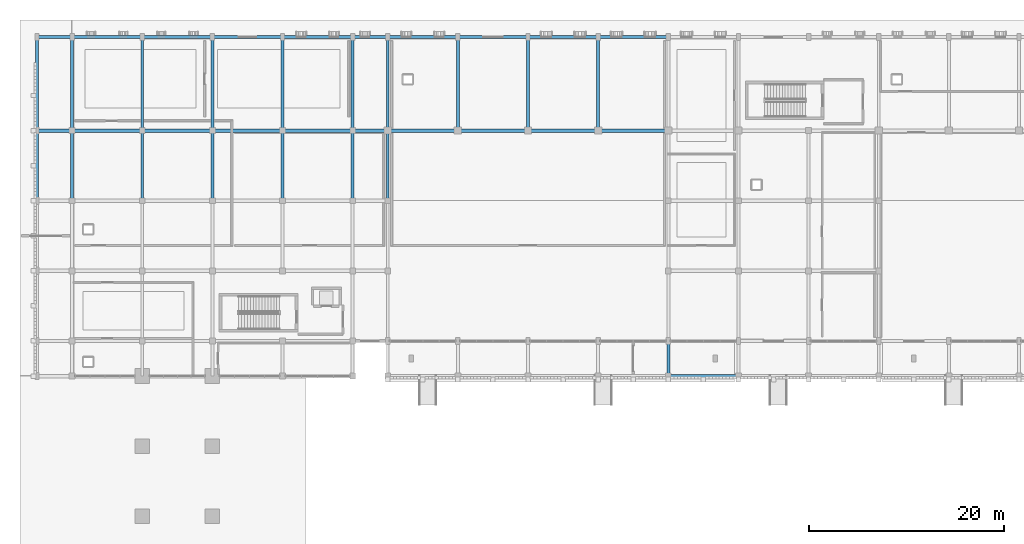
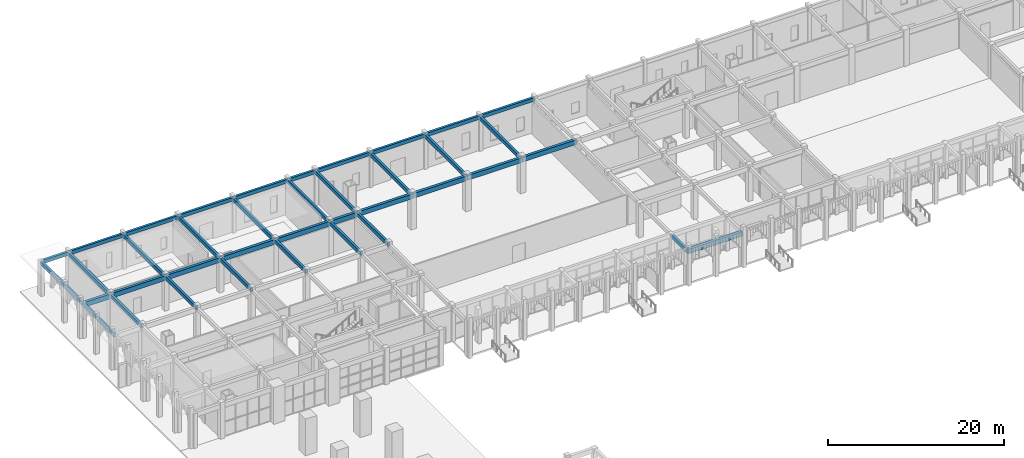
# One storey, part 14 of 72: 39 beams.
"""IFC4 building model written with IfcOpenShell, lengths in metres."""

from ifc_helpers import new_model, si_unit, direction, frame, origin, origin_2d, place, context, subcontext, project, spatial, rectangle, extrude, material, material_profile, profile_set, type_object, element, save


model = new_model("IFC4")

# Units and contexts
model_context = context("Model", 3, precision=1e-05, world=origin(), true_north=direction((0.0, 1.0)))
body_context = subcontext(model_context, "Body", "Model", "MODEL_VIEW")
ifc_project = project(units=[si_unit("LENGTHUNIT", "METRE"), si_unit("AREAUNIT", "SQUARE_METRE"), si_unit("VOLUMEUNIT", "CUBIC_METRE"), si_unit("PLANEANGLEUNIT", "RADIAN"), si_unit("MASSUNIT", "GRAM", prefix="KILO")], contexts=[model_context])

# Site, building, storey
site_placement = place(None, origin())
site = spatial("IfcSite", under=ifc_project, at=site_placement, CompositionType="ELEMENT")
building_placement = place(site_placement, origin())
building = spatial("IfcBuilding", under=site, at=building_placement, Name="Nzembalo Square Collegiate School", CompositionType="ELEMENT")
storey_placement = place(building_placement, origin())
storey = spatial("IfcBuildingStorey", under=building, at=storey_placement, Name="L00", CompositionType="ELEMENT", Elevation=0.0)

# Beams
ifc_material_1 = material(Name="Concrete C35/45", Category="concrete")
ifc_material_profile_1 = material_profile(ifc_material_1, rectangle(XDim=0.35009765625, YDim=0.64990234375, at=origin_2d()), Name="RC 350x650")
ifc_profile_set_1 = profile_set([ifc_material_profile_1], Name="Concrete C35/45")
beam_type_1 = type_object("IfcBeamType", Name="B01", PredefinedType="BEAM", material=ifc_profile_set_1)
beam_1_placement = place(storey_placement, frame((69.60009765625, 79.199951171875, 4.465087890625), z_axis=(1.0, 0.0, 0.0), x_axis=(0.0, 1.0, 0.0)))
element("IfcBeam", 1, at=beam_1_placement, inside=storey, type_object=beam_type_1, Name="Beam B01 L00", PredefinedType="BEAM", context=body_context, shape_type="SweptSolid", body=[
    extrude(rectangle(XDim=0.35009765625, YDim=0.64990234375, at=origin_2d()), origin(), (0.0, 0.0, 1.0), 7.199951171875),
])
beam_2_placement = place(storey_placement, frame((4.800048828125, 104.39990234375, 4.465087890625), z_axis=(1.0, 0.0, 0.0), x_axis=(0.0, 1.0, 0.0)))
element("IfcBeam", 2, at=beam_2_placement, inside=storey, type_object=beam_type_1, Name="Beam B01 L00", PredefinedType="BEAM", context=body_context, shape_type="SweptSolid", body=[
    extrude(rectangle(XDim=0.35009765625, YDim=0.64990234375, at=origin_2d()), origin(), (0.0, 0.0, 1.0), 3.599853515625),
])
beam_3_placement = place(storey_placement, frame((8.39990234375, 104.39990234375, 4.465087890625), z_axis=(1.0, 0.0, 0.0), x_axis=(0.0, 1.0, 0.0)))
element("IfcBeam", 3, at=beam_3_placement, inside=storey, type_object=beam_type_1, Name="Beam B01 L00", PredefinedType="BEAM", context=body_context, shape_type="SweptSolid", body=[
    extrude(rectangle(XDim=0.35009765625, YDim=0.64990234375, at=origin_2d()), origin(), (0.0, 0.0, 1.0), 7.2001953125),
])
for number, where, z_axis, x_axis, name in (
    (4, (15.60009765625, 104.39990234375, 4.465087890625), (1.0, 0.0, 0.0), (0.0, 1.0, 0.0), "Beam B01 L00"),
    (5, (22.800048828125, 104.39990234375, 4.465087890625), (1.0, 0.0, 0.0), (0.0, 1.0, 0.0), "Beam B01 L00"),
    (6, (30.0, 104.39990234375, 4.465087890625), (1.0, 0.0, 0.0), (0.0, 1.0, 0.0), "Beam B01 L00"),
):
    element("IfcBeam", number, at=place(storey_placement, frame(where, z_axis=z_axis, x_axis=x_axis)), inside=storey, type_object=beam_type_1, Name=name, PredefinedType="BEAM", context=body_context, shape_type="SweptSolid", body=[
        extrude(rectangle(XDim=0.35009765625, YDim=0.64990234375, at=origin_2d()), origin(), (0.0, 0.0, 1.0), 7.199951171875),
    ])
beam_4_placement = place(storey_placement, frame((37.199951171875, 104.39990234375, 4.465087890625), z_axis=(1.0, 0.0, 0.0), x_axis=(0.0, 1.0, 0.0)))
element("IfcBeam", 7, at=beam_4_placement, inside=storey, type_object=beam_type_1, Name="Beam B01 L00", PredefinedType="BEAM", context=body_context, shape_type="SweptSolid", body=[
    extrude(rectangle(XDim=0.35009765625, YDim=0.64990234375, at=origin_2d()), origin(), (0.0, 0.0, 1.0), 3.60009765625),
])
for number, where, z_axis, x_axis, name in (
    (8, (40.800048828125, 104.39990234375, 4.465087890625), (1.0, 0.0, 0.0), (0.0, 1.0, 0.0), "Beam B01 L00"),
    (9, (48.0, 104.39990234375, 4.465087890625), (1.0, 0.0, 0.0), (0.0, 1.0, 0.0), "Beam B01 L00"),
    (10, (55.199951171875, 104.39990234375, 4.465087890625), (1.0, 0.0, 0.0), (0.0, 1.0, 0.0), "Beam B01 L00"),
):
    element("IfcBeam", number, at=place(storey_placement, frame(where, z_axis=z_axis, x_axis=x_axis)), inside=storey, type_object=beam_type_1, Name=name, PredefinedType="BEAM", context=body_context, shape_type="SweptSolid", body=[
        extrude(rectangle(XDim=0.35009765625, YDim=0.64990234375, at=origin_2d()), origin(), (0.0, 0.0, 1.0), 7.199951171875),
    ])
beam_5_placement = place(storey_placement, frame((62.39990234375, 104.39990234375, 4.465087890625), z_axis=(1.0, 0.0, 0.0), x_axis=(0.0, 1.0, 0.0)))
element("IfcBeam", 11, at=beam_5_placement, inside=storey, type_object=beam_type_1, Name="Beam B01 L00", PredefinedType="BEAM", context=body_context, shape_type="SweptSolid", body=[
    extrude(rectangle(XDim=0.35009765625, YDim=0.64990234375, at=origin_2d()), origin(), (0.0, 0.0, 1.0), 7.2001953125),
])
ifc_material_2 = material(Name="Concrete C35/45", Category="concrete")
ifc_material_profile_2 = material_profile(ifc_material_2, rectangle(XDim=0.300048828125, YDim=0.5, at=origin_2d()), Name="RC 300x500")
ifc_profile_set_2 = profile_set([ifc_material_profile_2], Name="Concrete C35/45")
beam_type_2 = type_object("IfcBeamType", Name="B02", PredefinedType="BEAM", material=ifc_profile_set_2)
beam_6_placement = place(storey_placement, frame((15.60009765625, 97.199951171875, 4.5400390625), z_axis=(0.0, 1.0, 0.0), x_axis=(-1.0, 0.0, 0.0)))
element("IfcBeam", 12, at=beam_6_placement, inside=storey, type_object=beam_type_2, Name="Beam B02 L00", PredefinedType="BEAM", context=body_context, shape_type="SweptSolid", body=[
    extrude(rectangle(XDim=0.300048828125, YDim=0.5, at=origin_2d()), origin(), (0.0, 0.0, 1.0), 7.199951171875),
])
beam_7_placement = place(storey_placement, frame((15.60009765625, 104.39990234375, 4.5400390625), z_axis=(0.0, 1.0, 0.0), x_axis=(-1.0, 0.0, 0.0)))
element("IfcBeam", 13, at=beam_7_placement, inside=storey, type_object=beam_type_2, Name="Beam B02 L00", PredefinedType="BEAM", context=body_context, shape_type="SweptSolid", body=[
    extrude(rectangle(XDim=0.300048828125, YDim=0.5, at=origin_2d()), origin(), (0.0, 0.0, 1.0), 9.60009765625),
])
beam_8_placement = place(storey_placement, frame((22.800048828125, 97.199951171875, 4.5400390625), z_axis=(0.0, 1.0, 0.0), x_axis=(-1.0, 0.0, 0.0)))
element("IfcBeam", 14, at=beam_8_placement, inside=storey, type_object=beam_type_2, Name="Beam B02 L00", PredefinedType="BEAM", context=body_context, shape_type="SweptSolid", body=[
    extrude(rectangle(XDim=0.300048828125, YDim=0.5, at=origin_2d()), origin(), (0.0, 0.0, 1.0), 7.199951171875),
])
beam_9_placement = place(storey_placement, frame((22.800048828125, 104.39990234375, 4.5400390625), z_axis=(0.0, 1.0, 0.0), x_axis=(-1.0, 0.0, 0.0)))
element("IfcBeam", 15, at=beam_9_placement, inside=storey, type_object=beam_type_2, Name="Beam B02 L00", PredefinedType="BEAM", context=body_context, shape_type="SweptSolid", body=[
    extrude(rectangle(XDim=0.300048828125, YDim=0.5, at=origin_2d()), origin(), (0.0, 0.0, 1.0), 9.60009765625),
])
beam_10_placement = place(storey_placement, frame((30.0, 97.199951171875, 4.5400390625), z_axis=(0.0, 1.0, 0.0), x_axis=(-1.0, 0.0, 0.0)))
element("IfcBeam", 16, at=beam_10_placement, inside=storey, type_object=beam_type_2, Name="Beam B02 L00", PredefinedType="BEAM", context=body_context, shape_type="SweptSolid", body=[
    extrude(rectangle(XDim=0.300048828125, YDim=0.5, at=origin_2d()), origin(), (0.0, 0.0, 1.0), 7.199951171875),
])
beam_11_placement = place(storey_placement, frame((30.0, 104.39990234375, 4.5400390625), z_axis=(0.0, 1.0, 0.0), x_axis=(-1.0, 0.0, 0.0)))
element("IfcBeam", 17, at=beam_11_placement, inside=storey, type_object=beam_type_2, Name="Beam B02 L00", PredefinedType="BEAM", context=body_context, shape_type="SweptSolid", body=[
    extrude(rectangle(XDim=0.300048828125, YDim=0.5, at=origin_2d()), origin(), (0.0, 0.0, 1.0), 9.60009765625),
])
beam_12_placement = place(storey_placement, frame((40.800048828125, 97.199951171875, 4.5400390625), z_axis=(0.0, 1.0, 0.0), x_axis=(-1.0, 0.0, 0.0)))
element("IfcBeam", 18, at=beam_12_placement, inside=storey, type_object=beam_type_2, Name="Beam B02 L00", PredefinedType="BEAM", context=body_context, shape_type="SweptSolid", body=[
    extrude(rectangle(XDim=0.300048828125, YDim=0.5, at=origin_2d()), origin(), (0.0, 0.0, 1.0), 7.199951171875),
])
for number, where, z_axis, x_axis, name in (
    (19, (40.800048828125, 104.39990234375, 4.5400390625), (0.0, 1.0, 0.0), (-1.0, 0.0, 0.0), "Beam B02 L00"),
    (20, (48.0, 104.39990234375, 4.5400390625), (0.0, 1.0, 0.0), (-1.0, 0.0, 0.0), "Beam B02 L00"),
    (21, (55.199951171875, 104.39990234375, 4.5400390625), (0.0, 1.0, 0.0), (-1.0, 0.0, 0.0), "Beam B02 L00"),
    (22, (62.39990234375, 104.39990234375, 4.5400390625), (0.0, 1.0, 0.0), (-1.0, 0.0, 0.0), "Beam B02 L00"),
):
    element("IfcBeam", number, at=place(storey_placement, frame(where, z_axis=z_axis, x_axis=x_axis)), inside=storey, type_object=beam_type_2, Name=name, PredefinedType="BEAM", context=body_context, shape_type="SweptSolid", body=[
        extrude(rectangle(XDim=0.300048828125, YDim=0.5, at=origin_2d()), origin(), (0.0, 0.0, 1.0), 9.60009765625),
    ])
beam_13_placement = place(storey_placement, frame((69.60009765625, 79.199951171875, 4.5400390625), z_axis=(0.0, 1.0, 0.0), x_axis=(-1.0, 0.0, 0.0)))
element("IfcBeam", 23, at=beam_13_placement, inside=storey, type_object=beam_type_2, Name="Beam B02 L00", PredefinedType="BEAM", context=body_context, shape_type="SweptSolid", body=[
    extrude(rectangle(XDim=0.300048828125, YDim=0.5, at=origin_2d()), origin(), (0.0, 0.0, 1.0), 3.60009765625),
])
ifc_material_3 = material(Name="Concrete C35/45", Category="concrete")
ifc_material_profile_3 = material_profile(ifc_material_3, rectangle(XDim=0.300048828125, YDim=0.5, at=origin_2d()), Name="RC 300x500")
ifc_profile_set_3 = profile_set([ifc_material_profile_3], Name="Concrete C35/45")
beam_type_3 = type_object("IfcBeamType", Name="SP01", PredefinedType="SPANDREL", material=ifc_profile_set_3)
beam_14_placement = place(storey_placement, frame((4.800048828125, 114.0, 4.5400390625), z_axis=(1.0, 0.0, 0.0), x_axis=(0.0, 1.0, 0.0)))
element("IfcBeam", 24, at=beam_14_placement, inside=storey, type_object=beam_type_3, Name="Beam SP01 L00", PredefinedType="SPANDREL", context=body_context, shape_type="SweptSolid", body=[
    extrude(rectangle(XDim=0.300048828125, YDim=0.5, at=origin_2d()), origin(), (0.0, 0.0, 1.0), 3.599853515625),
])
beam_15_placement = place(storey_placement, frame((8.39990234375, 114.0, 4.5400390625), z_axis=(1.0, 0.0, 0.0), x_axis=(0.0, 1.0, 0.0)))
element("IfcBeam", 25, at=beam_15_placement, inside=storey, type_object=beam_type_3, Name="Beam SP01 L00", PredefinedType="SPANDREL", context=body_context, shape_type="SweptSolid", body=[
    extrude(rectangle(XDim=0.300048828125, YDim=0.5, at=origin_2d()), origin(), (0.0, 0.0, 1.0), 7.2001953125),
])
for number, where, z_axis, x_axis, name in (
    (26, (15.60009765625, 114.0, 4.5400390625), (1.0, 0.0, 0.0), (0.0, 1.0, 0.0), "Beam SP01 L00"),
    (27, (22.800048828125, 114.0, 4.5400390625), (1.0, 0.0, 0.0), (0.0, 1.0, 0.0), "Beam SP01 L00"),
    (28, (30.0, 114.0, 4.5400390625), (1.0, 0.0, 0.0), (0.0, 1.0, 0.0), "Beam SP01 L00"),
):
    element("IfcBeam", number, at=place(storey_placement, frame(where, z_axis=z_axis, x_axis=x_axis)), inside=storey, type_object=beam_type_3, Name=name, PredefinedType="SPANDREL", context=body_context, shape_type="SweptSolid", body=[
        extrude(rectangle(XDim=0.300048828125, YDim=0.5, at=origin_2d()), origin(), (0.0, 0.0, 1.0), 7.199951171875),
    ])
beam_16_placement = place(storey_placement, frame((37.199951171875, 114.0, 4.5400390625), z_axis=(1.0, 0.0, 0.0), x_axis=(0.0, 1.0, 0.0)))
element("IfcBeam", 29, at=beam_16_placement, inside=storey, type_object=beam_type_3, Name="Beam SP01 L00", PredefinedType="SPANDREL", context=body_context, shape_type="SweptSolid", body=[
    extrude(rectangle(XDim=0.300048828125, YDim=0.5, at=origin_2d()), origin(), (0.0, 0.0, 1.0), 3.60009765625),
])
for number, where, z_axis, x_axis, name in (
    (30, (40.800048828125, 114.0, 4.5400390625), (1.0, 0.0, 0.0), (0.0, 1.0, 0.0), "Beam SP01 L00"),
    (31, (48.0, 114.0, 4.5400390625), (1.0, 0.0, 0.0), (0.0, 1.0, 0.0), "Beam SP01 L00"),
    (32, (55.199951171875, 114.0, 4.5400390625), (1.0, 0.0, 0.0), (0.0, 1.0, 0.0), "Beam SP01 L00"),
):
    element("IfcBeam", number, at=place(storey_placement, frame(where, z_axis=z_axis, x_axis=x_axis)), inside=storey, type_object=beam_type_3, Name=name, PredefinedType="SPANDREL", context=body_context, shape_type="SweptSolid", body=[
        extrude(rectangle(XDim=0.300048828125, YDim=0.5, at=origin_2d()), origin(), (0.0, 0.0, 1.0), 7.199951171875),
    ])
beam_17_placement = place(storey_placement, frame((62.39990234375, 114.0, 4.5400390625), z_axis=(1.0, 0.0, 0.0), x_axis=(0.0, 1.0, 0.0)))
element("IfcBeam", 33, at=beam_17_placement, inside=storey, type_object=beam_type_3, Name="Beam SP01 L00", PredefinedType="SPANDREL", context=body_context, shape_type="SweptSolid", body=[
    extrude(rectangle(XDim=0.300048828125, YDim=0.5, at=origin_2d()), origin(), (0.0, 0.0, 1.0), 7.2001953125),
])
beam_18_placement = place(storey_placement, frame((4.800048828125, 97.199951171875, 4.5400390625), z_axis=(0.0, 1.0, 0.0), x_axis=(-1.0, 0.0, 0.0)))
element("IfcBeam", 34, at=beam_18_placement, inside=storey, type_object=beam_type_3, Name="Beam SP01 L00", PredefinedType="SPANDREL", context=body_context, shape_type="SweptSolid", body=[
    extrude(rectangle(XDim=0.300048828125, YDim=0.5, at=origin_2d()), origin(), (0.0, 0.0, 1.0), 7.199951171875),
])
beam_19_placement = place(storey_placement, frame((4.800048828125, 104.39990234375, 4.5400390625), z_axis=(0.0, 1.0, 0.0), x_axis=(-1.0, 0.0, 0.0)))
element("IfcBeam", 35, at=beam_19_placement, inside=storey, type_object=beam_type_3, Name="Beam SP01 L00", PredefinedType="SPANDREL", context=body_context, shape_type="SweptSolid", body=[
    extrude(rectangle(XDim=0.300048828125, YDim=0.5, at=origin_2d()), origin(), (0.0, 0.0, 1.0), 9.60009765625),
])
beam_20_placement = place(storey_placement, frame((8.39990234375, 97.199951171875, 4.5400390625), z_axis=(0.0, 1.0, 0.0), x_axis=(-1.0, 0.0, 0.0)))
element("IfcBeam", 36, at=beam_20_placement, inside=storey, type_object=beam_type_3, Name="Beam SP01 L00", PredefinedType="SPANDREL", context=body_context, shape_type="SweptSolid", body=[
    extrude(rectangle(XDim=0.300048828125, YDim=0.5, at=origin_2d()), origin(), (0.0, 0.0, 1.0), 7.199951171875),
])
beam_21_placement = place(storey_placement, frame((8.39990234375, 104.39990234375, 4.5400390625), z_axis=(0.0, 1.0, 0.0), x_axis=(-1.0, 0.0, 0.0)))
element("IfcBeam", 37, at=beam_21_placement, inside=storey, type_object=beam_type_3, Name="Beam SP01 L00", PredefinedType="SPANDREL", context=body_context, shape_type="SweptSolid", body=[
    extrude(rectangle(XDim=0.300048828125, YDim=0.5, at=origin_2d()), origin(), (0.0, 0.0, 1.0), 9.60009765625),
])
beam_22_placement = place(storey_placement, frame((37.199951171875, 97.199951171875, 4.5400390625), z_axis=(0.0, 1.0, 0.0), x_axis=(-1.0, 0.0, 0.0)))
element("IfcBeam", 38, at=beam_22_placement, inside=storey, type_object=beam_type_3, Name="Beam SP01 L00", PredefinedType="SPANDREL", context=body_context, shape_type="SweptSolid", body=[
    extrude(rectangle(XDim=0.300048828125, YDim=0.5, at=origin_2d()), origin(), (0.0, 0.0, 1.0), 7.199951171875),
])
beam_23_placement = place(storey_placement, frame((37.199951171875, 104.39990234375, 4.5400390625), z_axis=(0.0, 1.0, 0.0), x_axis=(-1.0, 0.0, 0.0)))
element("IfcBeam", 39, at=beam_23_placement, inside=storey, type_object=beam_type_3, Name="Beam SP01 L00", PredefinedType="SPANDREL", context=body_context, shape_type="SweptSolid", body=[
    extrude(rectangle(XDim=0.300048828125, YDim=0.5, at=origin_2d()), origin(), (0.0, 0.0, 1.0), 9.60009765625),
])

save(model, "model.ifc")
